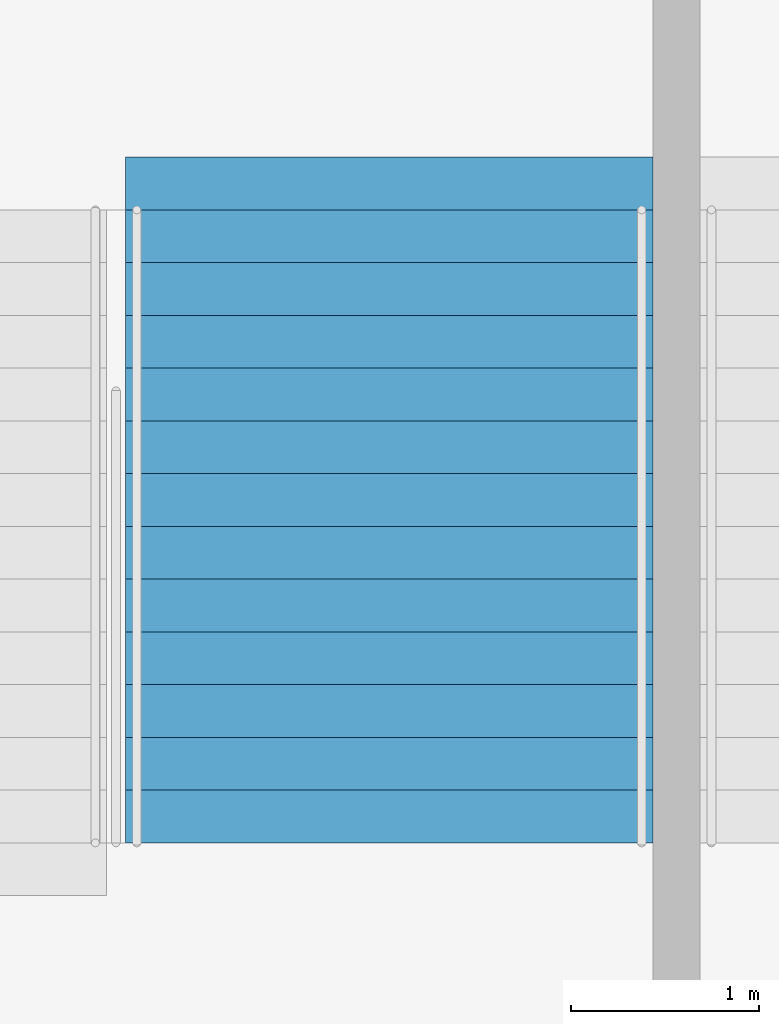
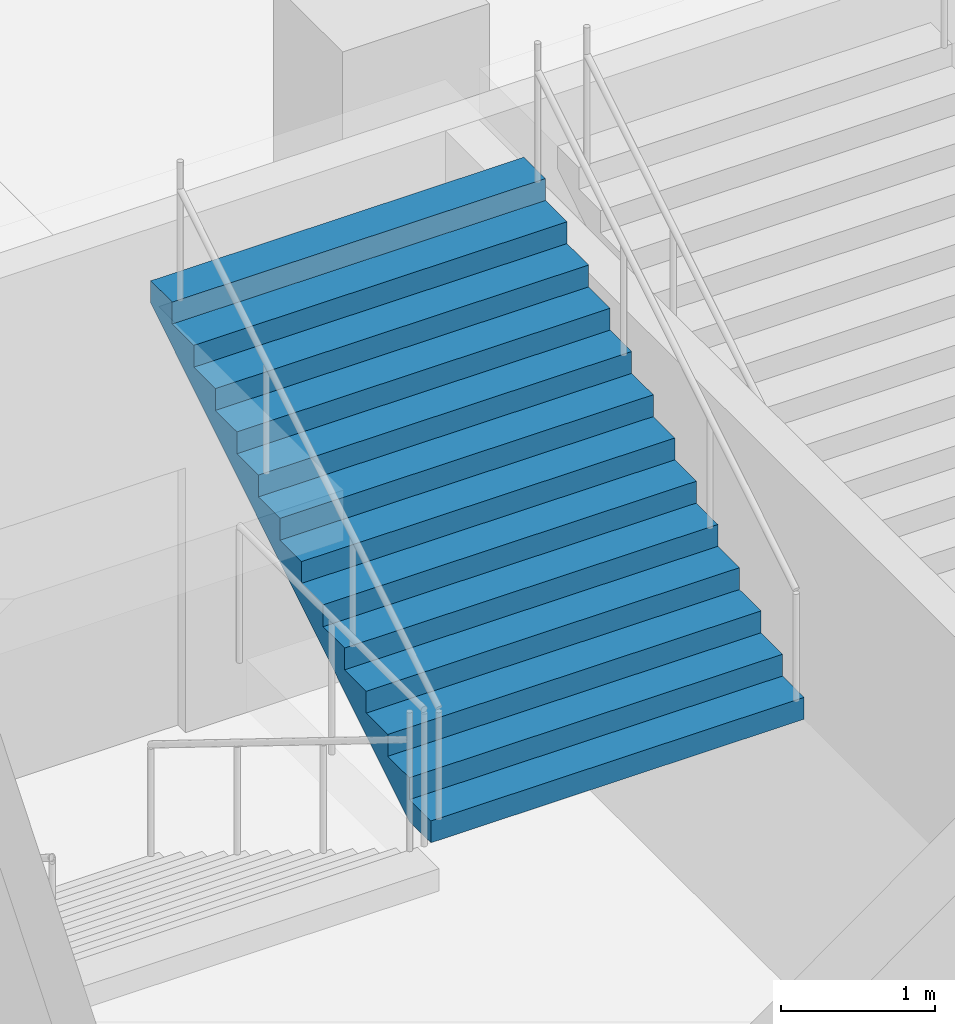
# One storey, part 64 of 175: 1 stair flight, 1 element without a shape of its own.
"""IFC4 building model written with IfcOpenShell, lengths in metres."""

from ifc_helpers import new_model, si_unit, direction, frame, origin, place, context, subcontext, project, spatial, faceted_brep, material, type_object, element, aggregate, save


model = new_model("IFC4")

# Units and contexts
model_context = context("Model", 3, precision=1e-05, world=origin(), true_north=direction((0.0, 1.0)))
body_context = subcontext(model_context, "Body", "Model", "MODEL_VIEW")
ifc_project = project(units=[si_unit("LENGTHUNIT", "METRE"), si_unit("AREAUNIT", "SQUARE_METRE"), si_unit("VOLUMEUNIT", "CUBIC_METRE"), si_unit("PLANEANGLEUNIT", "RADIAN"), si_unit("MASSUNIT", "GRAM", prefix="KILO")], contexts=[model_context])

# Site, building, storey
site_placement = place(None, origin())
site = spatial("IfcSite", under=ifc_project, at=site_placement, CompositionType="ELEMENT")
building_placement = place(site_placement, origin())
building = spatial("IfcBuilding", under=site, at=building_placement, Name="Ogive Plaza Stadium", CompositionType="ELEMENT")
storey_placement = place(building_placement, origin())
storey = spatial("IfcBuildingStorey", under=building, at=storey_placement, Name="L00", CompositionType="ELEMENT", Elevation=0.0)

# Stair, stair flight
ifc_material_1 = material(Name="Concrete C40/50", Category="concrete")
stair_type = type_object("IfcStairType", Name="Exit stair", PredefinedType="STRAIGHT_RUN_STAIR", material=ifc_material_1)
stair_placement = place(storey_placement, origin())
stair = element("IfcStair", 1, at=stair_placement, inside=storey, type_object=stair_type, Name="Exit stair ST14A L00 to L01", PredefinedType="STRAIGHT_RUN_STAIR")
ifc_material_2 = material(Name="Concrete C40/50", Category="concrete")
stair_flight_type = type_object("IfcStairFlightType", Name="Exit stair flight", PredefinedType="STRAIGHT", material=ifc_material_2)
stair_flight_placement = place(storey_placement, frame((5.27490234375, -98.2099609375, 2.25), z_axis=(0.0, 0.0, 1.0), x_axis=(0.0, 1.0, 0.0)))
stair_flight = element("IfcStairFlight", 2, at=stair_flight_placement, type_object=stair_flight_type, Name="ST14A flight 2", NumberOfRisers=13, NumberOfTreads=12, PredefinedType="STRAIGHT", RiserHeight=0.173076923, TreadLength=0.28, context=body_context, shape_type="Brep", body=[
    faceted_brep([(0.28515625, -1.39990234375, 0.0), (3.639892578125, -1.39990234375, 2.07373046875), (3.639892578125, -1.39990234375, 2.25), (3.360107421875, -1.39990234375, 2.25), (3.360107421875, -1.39990234375, 2.076904296875), (3.080078125, -1.39990234375, 2.076904296875), (3.080078125, -1.39990234375, 1.90380859375), (2.800048828125, -1.39990234375, 1.90380859375), (2.800048828125, -1.39990234375, 1.730712890625), (2.52001953125, -1.39990234375, 1.730712890625), (2.52001953125, -1.39990234375, 1.5576171875), (2.239990234375, -1.39990234375, 1.5576171875), (2.239990234375, -1.39990234375, 1.384521484375), (1.9599609375, -1.39990234375, 1.384521484375), (1.9599609375, -1.39990234375, 1.21142578125), (1.679931640625, -1.39990234375, 1.21142578125), (1.679931640625, -1.39990234375, 1.03857421875), (1.39990234375, -1.39990234375, 1.03857421875), (1.39990234375, -1.39990234375, 0.865478515625), (1.1201171875, -1.39990234375, 0.865478515625), (1.1201171875, -1.39990234375, 0.6923828125), (0.840087890625, -1.39990234375, 0.6923828125), (0.840087890625, -1.39990234375, 0.519287109375), (0.56005859375, -1.39990234375, 0.519287109375), (0.56005859375, -1.39990234375, 0.34619140625), (0.280029296875, -1.39990234375, 0.34619140625), (0.280029296875, -1.39990234375, 0.173095703125), (0.0, -1.39990234375, 0.173095703125), (0.0, -1.39990234375, 0.0), (0.0, 1.39990234375, 0.0), (0.0, 1.39990234375, 0.173095703125), (0.280029296875, 1.39990234375, 0.173095703125), (0.280029296875, 1.39990234375, 0.34619140625), (0.56005859375, 1.39990234375, 0.34619140625), (0.56005859375, 1.39990234375, 0.519287109375), (0.840087890625, 1.39990234375, 0.519287109375), (0.840087890625, 1.39990234375, 0.6923828125), (1.1201171875, 1.39990234375, 0.6923828125), (1.1201171875, 1.39990234375, 0.865478515625), (1.39990234375, 1.39990234375, 0.865478515625), (1.39990234375, 1.39990234375, 1.03857421875), (1.679931640625, 1.39990234375, 1.03857421875), (1.679931640625, 1.39990234375, 1.21142578125), (1.9599609375, 1.39990234375, 1.21142578125), (1.9599609375, 1.39990234375, 1.384521484375), (2.239990234375, 1.39990234375, 1.384521484375), (2.239990234375, 1.39990234375, 1.5576171875), (2.52001953125, 1.39990234375, 1.5576171875), (2.52001953125, 1.39990234375, 1.730712890625), (2.800048828125, 1.39990234375, 1.730712890625), (2.800048828125, 1.39990234375, 1.90380859375), (3.080078125, 1.39990234375, 1.90380859375), (3.080078125, 1.39990234375, 2.076904296875), (3.360107421875, 1.39990234375, 2.076904296875), (3.360107421875, 1.39990234375, 2.25), (3.639892578125, 1.39990234375, 2.25), (3.639892578125, 1.39990234375, 2.07373046875), (0.28515625, 1.39990234375, 0.0), (0.28515625, -1.0888671875, 0.0), (3.639892578125, -1.0888671875, 2.07373046875), (0.28515625, -0.77783203125, 0.0), (3.639892578125, -0.77783203125, 2.07373046875), (0.28515625, -0.466796875, 0.0), (3.639892578125, -0.466796875, 2.07373046875), (0.28515625, -0.155517578125, 0.0), (3.639892578125, -0.155517578125, 2.07373046875), (0.28515625, 0.155517578125, 0.0), (3.639892578125, 0.155517578125, 2.07373046875), (0.28515625, 0.466796875, 0.0), (3.639892578125, 0.466796875, 2.07373046875), (0.28515625, 0.77783203125, 0.0), (3.639892578125, 0.77783203125, 2.07373046875), (0.28515625, 1.0888671875, 0.0), (3.639892578125, 1.0888671875, 2.07373046875), (3.639892578125, -1.0888671875, 2.25), (3.639892578125, -0.77783203125, 2.25), (3.639892578125, -0.466796875, 2.25), (3.639892578125, -0.155517578125, 2.25), (3.639892578125, 0.155517578125, 2.25), (3.639892578125, 0.466796875, 2.25), (3.639892578125, 0.77783203125, 2.25), (3.639892578125, 1.0888671875, 2.25), (3.360107421875, -1.0888671875, 2.25), (3.360107421875, -0.77783203125, 2.25), (3.360107421875, -0.466796875, 2.25), (3.360107421875, -0.155517578125, 2.25), (3.360107421875, 0.155517578125, 2.25), (3.360107421875, 0.466796875, 2.25), (3.360107421875, 0.77783203125, 2.25), (3.360107421875, 1.0888671875, 2.25), (3.360107421875, -1.0888671875, 2.076904296875), (3.360107421875, -0.77783203125, 2.076904296875), (3.360107421875, -0.466796875, 2.076904296875), (3.360107421875, -0.155517578125, 2.076904296875), (3.360107421875, 0.155517578125, 2.076904296875), (3.360107421875, 0.466796875, 2.076904296875), (3.360107421875, 0.77783203125, 2.076904296875), (3.360107421875, 1.0888671875, 2.076904296875), (3.080078125, -1.0888671875, 2.076904296875), (3.080078125, -0.77783203125, 2.076904296875), (3.080078125, -0.466796875, 2.076904296875), (3.080078125, -0.155517578125, 2.076904296875), (3.080078125, 0.155517578125, 2.076904296875), (3.080078125, 0.466796875, 2.076904296875), (3.080078125, 0.77783203125, 2.076904296875), (3.080078125, 1.0888671875, 2.076904296875), (3.080078125, -1.0888671875, 1.90380859375), (3.080078125, -0.77783203125, 1.90380859375), (3.080078125, -0.466796875, 1.90380859375), (3.080078125, -0.155517578125, 1.90380859375), (3.080078125, 0.155517578125, 1.90380859375), (3.080078125, 0.466796875, 1.90380859375), (3.080078125, 0.77783203125, 1.90380859375), (3.080078125, 1.0888671875, 1.90380859375), (2.800048828125, -1.0888671875, 1.90380859375), (2.800048828125, -0.77783203125, 1.90380859375), (2.800048828125, -0.466796875, 1.90380859375), (2.800048828125, -0.155517578125, 1.90380859375), (2.800048828125, 0.155517578125, 1.90380859375), (2.800048828125, 0.466796875, 1.90380859375), (2.800048828125, 0.77783203125, 1.90380859375), (2.800048828125, 1.0888671875, 1.90380859375), (2.800048828125, -1.0888671875, 1.730712890625), (2.800048828125, -0.77783203125, 1.730712890625), (2.800048828125, -0.466796875, 1.730712890625), (2.800048828125, -0.155517578125, 1.730712890625), (2.800048828125, 0.155517578125, 1.730712890625), (2.800048828125, 0.466796875, 1.730712890625), (2.800048828125, 0.77783203125, 1.730712890625), (2.800048828125, 1.0888671875, 1.730712890625), (2.52001953125, -1.0888671875, 1.730712890625), (2.52001953125, -0.77783203125, 1.730712890625), (2.52001953125, -0.466796875, 1.730712890625), (2.52001953125, -0.155517578125, 1.730712890625), (2.52001953125, 0.155517578125, 1.730712890625), (2.52001953125, 0.466796875, 1.730712890625), (2.52001953125, 0.77783203125, 1.730712890625), (2.52001953125, 1.0888671875, 1.730712890625), (2.52001953125, -1.0888671875, 1.5576171875), (2.52001953125, -0.77783203125, 1.5576171875), (2.52001953125, -0.466796875, 1.5576171875), (2.52001953125, -0.155517578125, 1.5576171875), (2.52001953125, 0.155517578125, 1.5576171875), (2.52001953125, 0.466796875, 1.5576171875), (2.52001953125, 0.77783203125, 1.5576171875), (2.52001953125, 1.0888671875, 1.5576171875), (2.239990234375, -1.0888671875, 1.5576171875), (2.239990234375, -0.77783203125, 1.5576171875), (2.239990234375, -0.466796875, 1.5576171875), (2.239990234375, -0.155517578125, 1.5576171875), (2.239990234375, 0.155517578125, 1.5576171875), (2.239990234375, 0.466796875, 1.5576171875), (2.239990234375, 0.77783203125, 1.5576171875), (2.239990234375, 1.0888671875, 1.5576171875), (2.239990234375, -1.0888671875, 1.384521484375), (2.239990234375, -0.77783203125, 1.384521484375), (2.239990234375, -0.466796875, 1.384521484375), (2.239990234375, -0.155517578125, 1.384521484375), (2.239990234375, 0.155517578125, 1.384521484375), (2.239990234375, 0.466796875, 1.384521484375), (2.239990234375, 0.77783203125, 1.384521484375), (2.239990234375, 1.0888671875, 1.384521484375), (1.9599609375, -1.0888671875, 1.384521484375), (1.9599609375, -0.77783203125, 1.384521484375), (1.9599609375, -0.466796875, 1.384521484375), (1.9599609375, -0.155517578125, 1.384521484375), (1.9599609375, 0.155517578125, 1.384521484375), (1.9599609375, 0.466796875, 1.384521484375), (1.9599609375, 0.77783203125, 1.384521484375), (1.9599609375, 1.0888671875, 1.384521484375), (1.9599609375, -1.0888671875, 1.21142578125), (1.9599609375, -0.77783203125, 1.21142578125), (1.9599609375, -0.466796875, 1.21142578125), (1.9599609375, -0.155517578125, 1.21142578125), (1.9599609375, 0.155517578125, 1.21142578125), (1.9599609375, 0.466796875, 1.21142578125), (1.9599609375, 0.77783203125, 1.21142578125), (1.9599609375, 1.0888671875, 1.21142578125), (1.679931640625, -1.0888671875, 1.21142578125), (1.679931640625, -0.77783203125, 1.21142578125), (1.679931640625, -0.466796875, 1.21142578125), (1.679931640625, -0.155517578125, 1.21142578125), (1.679931640625, 0.155517578125, 1.21142578125), (1.679931640625, 0.466796875, 1.21142578125), (1.679931640625, 0.77783203125, 1.21142578125), (1.679931640625, 1.0888671875, 1.21142578125), (1.679931640625, -1.0888671875, 1.03857421875), (1.679931640625, -0.77783203125, 1.03857421875), (1.679931640625, -0.466796875, 1.03857421875), (1.679931640625, -0.155517578125, 1.03857421875), (1.679931640625, 0.155517578125, 1.03857421875), (1.679931640625, 0.466796875, 1.03857421875), (1.679931640625, 0.77783203125, 1.03857421875), (1.679931640625, 1.0888671875, 1.03857421875), (1.39990234375, -1.0888671875, 1.03857421875), (1.39990234375, -0.77783203125, 1.03857421875), (1.39990234375, -0.466796875, 1.03857421875), (1.39990234375, -0.155517578125, 1.03857421875), (1.39990234375, 0.155517578125, 1.03857421875), (1.39990234375, 0.466796875, 1.03857421875), (1.39990234375, 0.77783203125, 1.03857421875), (1.39990234375, 1.0888671875, 1.03857421875), (1.39990234375, -1.0888671875, 0.865478515625), (1.39990234375, -0.77783203125, 0.865478515625), (1.39990234375, -0.466796875, 0.865478515625), (1.39990234375, -0.155517578125, 0.865478515625), (1.39990234375, 0.155517578125, 0.865478515625), (1.39990234375, 0.466796875, 0.865478515625), (1.39990234375, 0.77783203125, 0.865478515625), (1.39990234375, 1.0888671875, 0.865478515625), (1.1201171875, -1.0888671875, 0.865478515625), (1.1201171875, -0.77783203125, 0.865478515625), (1.1201171875, -0.466796875, 0.865478515625), (1.1201171875, -0.155517578125, 0.865478515625), (1.1201171875, 0.155517578125, 0.865478515625), (1.1201171875, 0.466796875, 0.865478515625), (1.1201171875, 0.77783203125, 0.865478515625), (1.1201171875, 1.0888671875, 0.865478515625), (1.1201171875, -1.0888671875, 0.6923828125), (1.1201171875, -0.77783203125, 0.6923828125), (1.1201171875, -0.466796875, 0.6923828125), (1.1201171875, -0.155517578125, 0.6923828125), (1.1201171875, 0.155517578125, 0.6923828125), (1.1201171875, 0.466796875, 0.6923828125), (1.1201171875, 0.77783203125, 0.6923828125), (1.1201171875, 1.0888671875, 0.6923828125), (0.840087890625, -1.0888671875, 0.6923828125), (0.840087890625, -0.77783203125, 0.6923828125), (0.840087890625, -0.466796875, 0.6923828125), (0.840087890625, -0.155517578125, 0.6923828125), (0.840087890625, 0.155517578125, 0.6923828125), (0.840087890625, 0.466796875, 0.6923828125), (0.840087890625, 0.77783203125, 0.6923828125), (0.840087890625, 1.0888671875, 0.6923828125), (0.840087890625, -1.0888671875, 0.519287109375), (0.840087890625, -0.77783203125, 0.519287109375), (0.840087890625, -0.466796875, 0.519287109375), (0.840087890625, -0.155517578125, 0.519287109375), (0.840087890625, 0.155517578125, 0.519287109375), (0.840087890625, 0.466796875, 0.519287109375), (0.840087890625, 0.77783203125, 0.519287109375), (0.840087890625, 1.0888671875, 0.519287109375), (0.56005859375, -1.0888671875, 0.519287109375), (0.56005859375, -0.77783203125, 0.519287109375), (0.56005859375, -0.466796875, 0.519287109375), (0.56005859375, -0.155517578125, 0.519287109375), (0.56005859375, 0.155517578125, 0.519287109375), (0.56005859375, 0.466796875, 0.519287109375), (0.56005859375, 0.77783203125, 0.519287109375), (0.56005859375, 1.0888671875, 0.519287109375), (0.56005859375, -1.0888671875, 0.34619140625), (0.56005859375, -0.77783203125, 0.34619140625), (0.56005859375, -0.466796875, 0.34619140625), (0.56005859375, -0.155517578125, 0.34619140625), (0.56005859375, 0.155517578125, 0.34619140625), (0.56005859375, 0.466796875, 0.34619140625), (0.56005859375, 0.77783203125, 0.34619140625), (0.56005859375, 1.0888671875, 0.34619140625), (0.280029296875, -1.0888671875, 0.34619140625), (0.280029296875, -0.77783203125, 0.34619140625), (0.280029296875, -0.466796875, 0.34619140625), (0.280029296875, -0.155517578125, 0.34619140625), (0.280029296875, 0.155517578125, 0.34619140625), (0.280029296875, 0.466796875, 0.34619140625), (0.280029296875, 0.77783203125, 0.34619140625), (0.280029296875, 1.0888671875, 0.34619140625), (0.280029296875, -1.0888671875, 0.173095703125), (0.280029296875, -0.77783203125, 0.173095703125), (0.280029296875, -0.466796875, 0.173095703125), (0.280029296875, -0.155517578125, 0.173095703125), (0.280029296875, 0.155517578125, 0.173095703125), (0.280029296875, 0.466796875, 0.173095703125), (0.280029296875, 0.77783203125, 0.173095703125), (0.280029296875, 1.0888671875, 0.173095703125), (0.0, -1.0888671875, 0.173095703125), (0.0, -0.77783203125, 0.173095703125), (0.0, -0.466796875, 0.173095703125), (0.0, -0.155517578125, 0.173095703125), (0.0, 0.155517578125, 0.173095703125), (0.0, 0.466796875, 0.173095703125), (0.0, 0.77783203125, 0.173095703125), (0.0, 1.0888671875, 0.173095703125), (0.0, -1.0888671875, 0.0), (0.0, -0.77783203125, 0.0), (0.0, -0.466796875, 0.0), (0.0, -0.155517578125, 0.0), (0.0, 0.155517578125, 0.0), (0.0, 0.466796875, 0.0), (0.0, 0.77783203125, 0.0), (0.0, 1.0888671875, 0.0)], [[[0, 1, 2, 3, 4, 5, 6, 7, 8, 9, 10, 11, 12, 13, 14, 15, 16, 17, 18, 19, 20, 21, 22, 23, 24, 25, 26, 27, 28]], [[29, 30, 31, 32, 33, 34, 35, 36, 37, 38, 39, 40, 41, 42, 43, 44, 45, 46, 47, 48, 49, 50, 51, 52, 53, 54, 55, 56, 57]], [[0, 58, 59, 1]], [[58, 60, 61, 59]], [[60, 62, 63, 61]], [[62, 64, 65, 63]], [[64, 66, 67, 65]], [[66, 68, 69, 67]], [[68, 70, 71, 69]], [[70, 72, 73, 71]], [[72, 57, 56, 73]], [[1, 59, 74, 2]], [[59, 61, 75, 74]], [[61, 63, 76, 75]], [[63, 65, 77, 76]], [[65, 67, 78, 77]], [[67, 69, 79, 78]], [[69, 71, 80, 79]], [[71, 73, 81, 80]], [[73, 56, 55, 81]], [[2, 74, 82, 3]], [[74, 75, 83, 82]], [[75, 76, 84, 83]], [[76, 77, 85, 84]], [[77, 78, 86, 85]], [[78, 79, 87, 86]], [[79, 80, 88, 87]], [[80, 81, 89, 88]], [[81, 55, 54, 89]], [[3, 82, 90, 4]], [[82, 83, 91, 90]], [[83, 84, 92, 91]], [[84, 85, 93, 92]], [[85, 86, 94, 93]], [[86, 87, 95, 94]], [[87, 88, 96, 95]], [[88, 89, 97, 96]], [[89, 54, 53, 97]], [[4, 90, 98, 5]], [[90, 91, 99, 98]], [[91, 92, 100, 99]], [[92, 93, 101, 100]], [[93, 94, 102, 101]], [[94, 95, 103, 102]], [[95, 96, 104, 103]], [[96, 97, 105, 104]], [[97, 53, 52, 105]], [[5, 98, 106, 6]], [[98, 99, 107, 106]], [[99, 100, 108, 107]], [[100, 101, 109, 108]], [[101, 102, 110, 109]], [[102, 103, 111, 110]], [[103, 104, 112, 111]], [[104, 105, 113, 112]], [[105, 52, 51, 113]], [[6, 106, 114, 7]], [[106, 107, 115, 114]], [[107, 108, 116, 115]], [[108, 109, 117, 116]], [[109, 110, 118, 117]], [[110, 111, 119, 118]], [[111, 112, 120, 119]], [[112, 113, 121, 120]], [[113, 51, 50, 121]], [[7, 114, 122, 8]], [[114, 115, 123, 122]], [[115, 116, 124, 123]], [[116, 117, 125, 124]], [[117, 118, 126, 125]], [[118, 119, 127, 126]], [[119, 120, 128, 127]], [[120, 121, 129, 128]], [[121, 50, 49, 129]], [[8, 122, 130, 9]], [[122, 123, 131, 130]], [[123, 124, 132, 131]], [[124, 125, 133, 132]], [[125, 126, 134, 133]], [[126, 127, 135, 134]], [[127, 128, 136, 135]], [[128, 129, 137, 136]], [[129, 49, 48, 137]], [[9, 130, 138, 10]], [[130, 131, 139, 138]], [[131, 132, 140, 139]], [[132, 133, 141, 140]], [[133, 134, 142, 141]], [[134, 135, 143, 142]], [[135, 136, 144, 143]], [[136, 137, 145, 144]], [[137, 48, 47, 145]], [[10, 138, 146, 11]], [[138, 139, 147, 146]], [[139, 140, 148, 147]], [[140, 141, 149, 148]], [[141, 142, 150, 149]], [[142, 143, 151, 150]], [[143, 144, 152, 151]], [[144, 145, 153, 152]], [[145, 47, 46, 153]], [[11, 146, 154, 12]], [[146, 147, 155, 154]], [[147, 148, 156, 155]], [[148, 149, 157, 156]], [[149, 150, 158, 157]], [[150, 151, 159, 158]], [[151, 152, 160, 159]], [[152, 153, 161, 160]], [[153, 46, 45, 161]], [[12, 154, 162, 13]], [[154, 155, 163, 162]], [[155, 156, 164, 163]], [[156, 157, 165, 164]], [[157, 158, 166, 165]], [[158, 159, 167, 166]], [[159, 160, 168, 167]], [[160, 161, 169, 168]], [[161, 45, 44, 169]], [[13, 162, 170, 14]], [[162, 163, 171, 170]], [[163, 164, 172, 171]], [[164, 165, 173, 172]], [[165, 166, 174, 173]], [[166, 167, 175, 174]], [[167, 168, 176, 175]], [[168, 169, 177, 176]], [[169, 44, 43, 177]], [[14, 170, 178, 15]], [[170, 171, 179, 178]], [[171, 172, 180, 179]], [[172, 173, 181, 180]], [[173, 174, 182, 181]], [[174, 175, 183, 182]], [[175, 176, 184, 183]], [[176, 177, 185, 184]], [[177, 43, 42, 185]], [[15, 178, 186, 16]], [[178, 179, 187, 186]], [[179, 180, 188, 187]], [[180, 181, 189, 188]], [[181, 182, 190, 189]], [[182, 183, 191, 190]], [[183, 184, 192, 191]], [[184, 185, 193, 192]], [[185, 42, 41, 193]], [[16, 186, 194, 17]], [[186, 187, 195, 194]], [[187, 188, 196, 195]], [[188, 189, 197, 196]], [[189, 190, 198, 197]], [[190, 191, 199, 198]], [[191, 192, 200, 199]], [[192, 193, 201, 200]], [[193, 41, 40, 201]], [[17, 194, 202, 18]], [[194, 195, 203, 202]], [[195, 196, 204, 203]], [[196, 197, 205, 204]], [[197, 198, 206, 205]], [[198, 199, 207, 206]], [[199, 200, 208, 207]], [[200, 201, 209, 208]], [[201, 40, 39, 209]], [[18, 202, 210, 19]], [[202, 203, 211, 210]], [[203, 204, 212, 211]], [[204, 205, 213, 212]], [[205, 206, 214, 213]], [[206, 207, 215, 214]], [[207, 208, 216, 215]], [[208, 209, 217, 216]], [[209, 39, 38, 217]], [[19, 210, 218, 20]], [[210, 211, 219, 218]], [[211, 212, 220, 219]], [[212, 213, 221, 220]], [[213, 214, 222, 221]], [[214, 215, 223, 222]], [[215, 216, 224, 223]], [[216, 217, 225, 224]], [[217, 38, 37, 225]], [[20, 218, 226, 21]], [[218, 219, 227, 226]], [[219, 220, 228, 227]], [[220, 221, 229, 228]], [[221, 222, 230, 229]], [[222, 223, 231, 230]], [[223, 224, 232, 231]], [[224, 225, 233, 232]], [[225, 37, 36, 233]], [[21, 226, 234, 22]], [[226, 227, 235, 234]], [[227, 228, 236, 235]], [[228, 229, 237, 236]], [[229, 230, 238, 237]], [[230, 231, 239, 238]], [[231, 232, 240, 239]], [[232, 233, 241, 240]], [[233, 36, 35, 241]], [[22, 234, 242, 23]], [[234, 235, 243, 242]], [[235, 236, 244, 243]], [[236, 237, 245, 244]], [[237, 238, 246, 245]], [[238, 239, 247, 246]], [[239, 240, 248, 247]], [[240, 241, 249, 248]], [[241, 35, 34, 249]], [[23, 242, 250, 24]], [[242, 243, 251, 250]], [[243, 244, 252, 251]], [[244, 245, 253, 252]], [[245, 246, 254, 253]], [[246, 247, 255, 254]], [[247, 248, 256, 255]], [[248, 249, 257, 256]], [[249, 34, 33, 257]], [[24, 250, 258, 25]], [[250, 251, 259, 258]], [[251, 252, 260, 259]], [[252, 253, 261, 260]], [[253, 254, 262, 261]], [[254, 255, 263, 262]], [[255, 256, 264, 263]], [[256, 257, 265, 264]], [[257, 33, 32, 265]], [[25, 258, 266, 26]], [[258, 259, 267, 266]], [[259, 260, 268, 267]], [[260, 261, 269, 268]], [[261, 262, 270, 269]], [[262, 263, 271, 270]], [[263, 264, 272, 271]], [[264, 265, 273, 272]], [[265, 32, 31, 273]], [[26, 266, 274, 27]], [[266, 267, 275, 274]], [[267, 268, 276, 275]], [[268, 269, 277, 276]], [[269, 270, 278, 277]], [[270, 271, 279, 278]], [[271, 272, 280, 279]], [[272, 273, 281, 280]], [[273, 31, 30, 281]], [[27, 274, 282, 28]], [[274, 275, 283, 282]], [[275, 276, 284, 283]], [[276, 277, 285, 284]], [[277, 278, 286, 285]], [[278, 279, 287, 286]], [[279, 280, 288, 287]], [[280, 281, 289, 288]], [[281, 30, 29, 289]], [[28, 282, 58, 0]], [[282, 283, 60, 58]], [[283, 284, 62, 60]], [[284, 285, 64, 62]], [[285, 286, 66, 64]], [[286, 287, 68, 66]], [[287, 288, 70, 68]], [[288, 289, 72, 70]], [[289, 29, 57, 72]]]),
])
aggregate(stair, [stair_flight])

save(model, "model.ifc")
